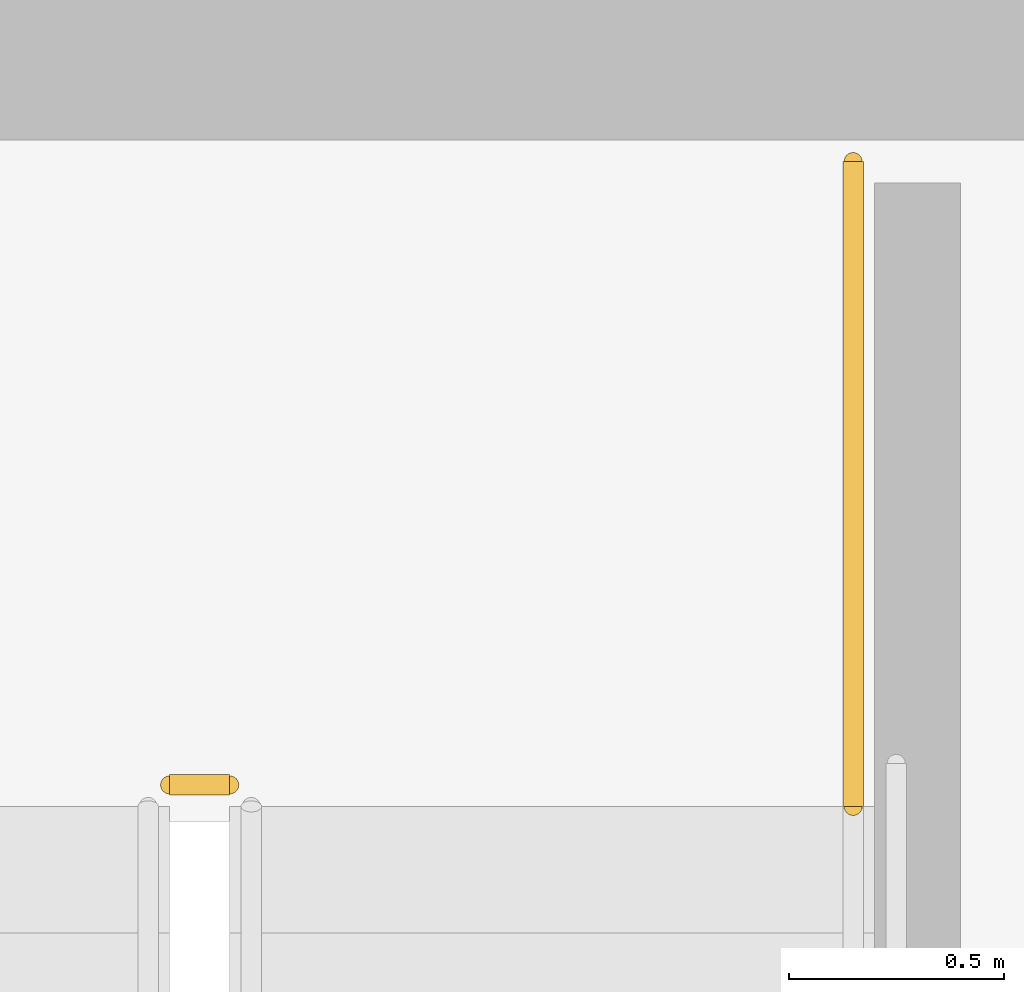
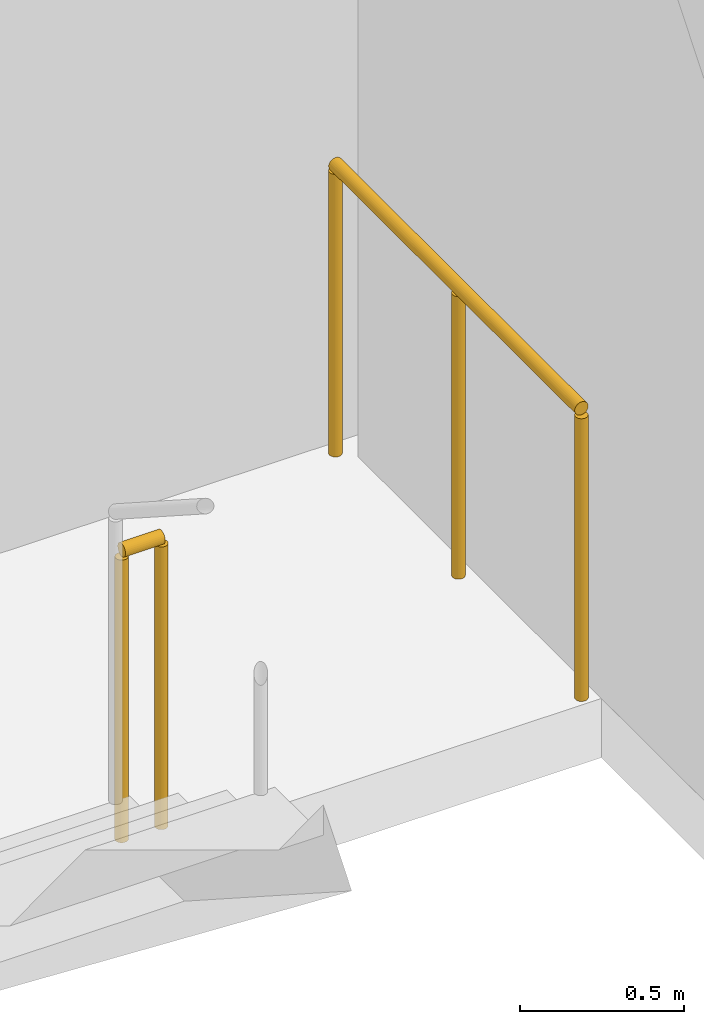
# One storey, part 33 of 33: 2 railings.
"""IFC4 building model written with IfcOpenShell, lengths in metres."""

from ifc_helpers import new_model, si_unit, direction, frame, origin, origin_2d, place, context, subcontext, project, spatial, circle, extrude, material, layer, layer_set, type_object, element, save


model = new_model("IFC4")

# Units and contexts
model_context = context("Model", 3, precision=1e-05, world=origin(), true_north=direction((0.0, 1.0)))
body_context = subcontext(model_context, "Body", "Model", "MODEL_VIEW")
ifc_project = project(units=[si_unit("LENGTHUNIT", "METRE"), si_unit("AREAUNIT", "SQUARE_METRE"), si_unit("VOLUMEUNIT", "CUBIC_METRE"), si_unit("PLANEANGLEUNIT", "RADIAN"), si_unit("MASSUNIT", "GRAM", prefix="KILO")], contexts=[model_context])

# Site, building, storey
site_placement = place(None, origin())
site = spatial("IfcSite", under=ifc_project, at=site_placement, CompositionType="ELEMENT")
building_placement = place(site_placement, origin())
building = spatial("IfcBuilding", under=site, at=building_placement, Name="Ndaravel Arena Tower", CompositionType="ELEMENT")
storey_placement = place(building_placement, frame((0.0, 0.0, 187.800048828125)))
storey = spatial("IfcBuildingStorey", under=building, at=storey_placement, Name="L45", CompositionType="ELEMENT", Elevation=187.800048828125)

# Railings
ifc_material = material(Name="Steel S355", Category="steel")
ifc_layer = layer(ifc_material, 0.06005859375)
ifc_layer_set = layer_set([ifc_layer], Name="Steel S355")
railing_type = type_object("IfcRailingType", Name="RAIL-STAIR-GD1100", PredefinedType="GUARDRAIL", material=ifc_layer_set)
railing_1_placement = place(storey_placement, frame((55.10009765625, 13.300048828125, 0.0)))
element("IfcRailing", 1, at=railing_1_placement, inside=storey, type_object=railing_type, Name="L45 ST-3 stair guard 4", PredefinedType="GUARDRAIL", context=body_context, shape_type="SweptSolid", body=[
    extrude(circle(Radius=0.02392578125, at=origin_2d()), frame((0.0, 0.0, 1.076171875), z_axis=(1.0, 0.0, 0.0), x_axis=(0.0, 1.0, 0.0)), (0.0, 0.0, 1.0), 0.139892578125),
    extrude(circle(Radius=0.02099609375, at=origin_2d()), origin(), (0.0, 0.0, 1.0), 1.052001953125),
    extrude(circle(Radius=0.02099609375, at=origin_2d()), frame((0.139892578125, 0.0, 0.0)), (0.0, 0.0, 1.0), 1.052001953125),
])
railing_2_placement = place(storey_placement, frame((56.68994140625, 14.75, 0.0)))
element("IfcRailing", 2, at=railing_2_placement, inside=storey, type_object=railing_type, Name="L45 ST-3 stair guard 5", PredefinedType="GUARDRAIL", context=body_context, shape_type="SweptSolid", body=[
    extrude(circle(Radius=0.02392578125, at=origin_2d()), frame((0.0, 0.0, 1.076171875), z_axis=(0.0, -1.0, 0.0), x_axis=(1.0, 0.0, 0.0)), (0.0, 0.0, 1.0), 1.5),
    extrude(circle(Radius=0.02099609375, at=origin_2d()), origin(), (0.0, 0.0, 1.0), 1.052001953125),
    extrude(circle(Radius=0.02099609375, at=origin_2d()), frame((0.0, -0.75, 0.0)), (0.0, 0.0, 1.0), 1.052001953125),
    extrude(circle(Radius=0.02099609375, at=origin_2d()), frame((0.0, -1.5, 0.0)), (0.0, 0.0, 1.0), 1.052001953125),
])

save(model, "model.ifc")
